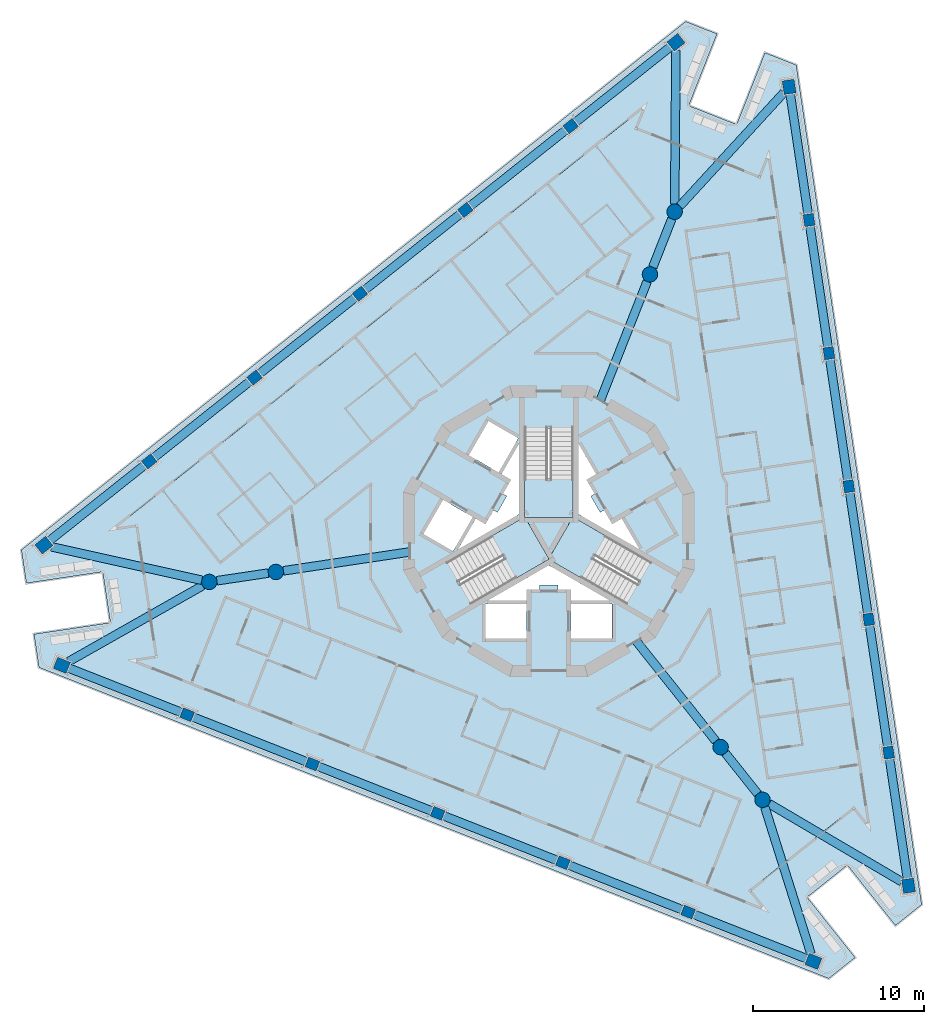
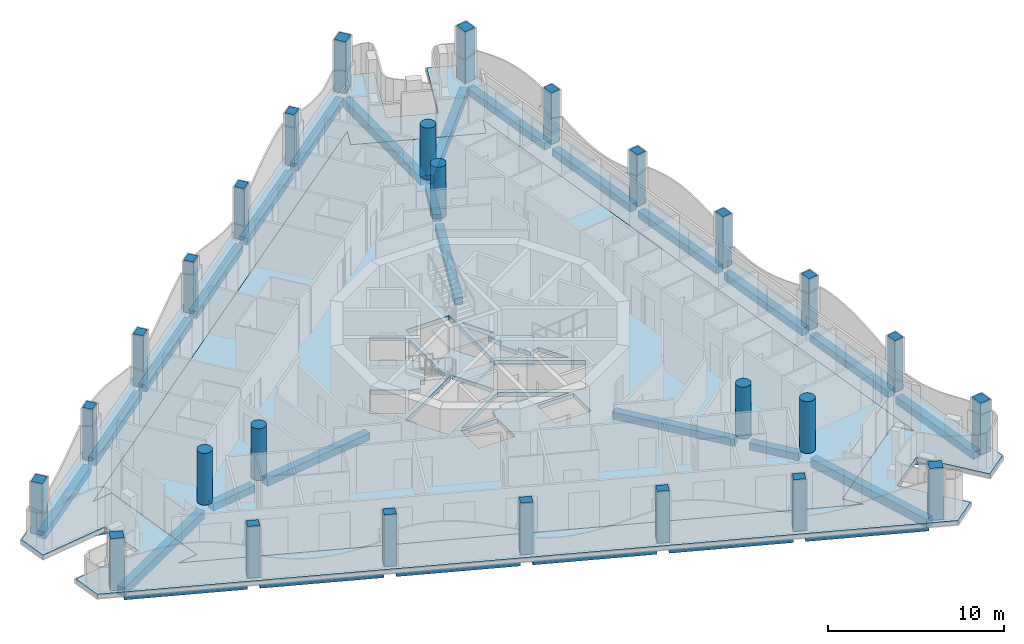
# One storey, part 1 of 16: 30 beams, 27 columns, 6 slabs, 3 elements without a shape of their own.
"""IFC4 building model written with IfcOpenShell, lengths in metres."""

from ifc_helpers import new_model, si_unit, direction, frame, origin, origin_2d, place, context, subcontext, project, spatial, polyline, rectangle, circle, outline, extrude, material, layer, layer_set, material_profile, profile_set, type_object, element, aggregate, save


model = new_model("IFC4")

# Units and contexts
model_context = context("Model", 3, precision=1e-05, world=origin(), true_north=direction((0.0, 1.0)))
body_context = subcontext(model_context, "Body", "Model", "MODEL_VIEW")
ifc_project = project(units=[si_unit("LENGTHUNIT", "METRE"), si_unit("AREAUNIT", "SQUARE_METRE"), si_unit("VOLUMEUNIT", "CUBIC_METRE"), si_unit("PLANEANGLEUNIT", "RADIAN"), si_unit("MASSUNIT", "GRAM", prefix="KILO")], contexts=[model_context])

# Site, building, storey
site_placement = place(None, origin())
site = spatial("IfcSite", under=ifc_project, at=site_placement, CompositionType="ELEMENT")
building_placement = place(site_placement, origin())
building = spatial("IfcBuilding", under=site, at=building_placement, Name="Trine Commons Tower", CompositionType="ELEMENT")
storey_placement = place(building_placement, frame((0.0, 0.0, 223.199951171875)))
storey = spatial("IfcBuildingStorey", under=building, at=storey_placement, Name="L58", CompositionType="ELEMENT", Elevation=223.199951171875)

# Columns
ifc_material_1 = material(Name="Concrete C60/75", Category="concrete")
ifc_material_profile_1 = material_profile(ifc_material_1, rectangle(XDim=0.699951171875, YDim=0.60009765625, at=origin_2d()), Name="RC 700x600")
ifc_profile_set_1 = profile_set([ifc_material_profile_1], Name="Concrete C60/75")
column_type_1 = type_object("IfcColumnType", Name="RC column 700x600, C60/75", PredefinedType="COLUMN", material=ifc_profile_set_1)
for number, where, z_axis, x_axis, name in (
    (1, (88.125, 40.285888671875, 0.0), (0.0, 0.0, 1.0), (-0.930417567982, 0.366501226724, 0.0), "Column PC6-02 L58"),
    (2, (80.82080078125, 43.1630859375, 0.0), (0.0, 0.0, 1.0), (-0.930417567982, 0.366501226724, 0.0), "Column PC6-03 L58"),
    (3, (73.516357421875, 46.04052734375, 0.0), (0.0, 0.0, 1.0), (-0.930417567982, 0.366501226724, 0.0), "Column PC6-04 L58"),
    (4, (66.212158203125, 48.917724609375, 0.0), (0.0, 0.0, 1.0), (-0.930417567982, 0.366501226724, 0.0), "Column PC6-05 L58"),
    (5, (58.90771484375, 51.794921875, 0.0), (0.0, 0.0, 1.0), (-0.930417567982, 0.366501226724, 0.0), "Column PC6-06 L58"),
    (6, (56.699462890625, 66.570556640625, 0.0), (0.0, 0.0, 1.0), (0.782608156852, 0.622514636638, 0.0), "Column PC6-09 L58"),
    (7, (62.843505859375, 71.45751953125, 0.0), (0.0, 0.0, 1.0), (0.782608156852, 0.622514636638, 0.0), "Column PC6-10 L58"),
    (8, (68.9873046875, 76.3447265625, 0.0), (0.0, 0.0, 1.0), (0.782608156852, 0.622514636638, 0.0), "Column PC6-11 L58"),
    (9, (75.13134765625, 81.231689453125, 0.0), (0.0, 0.0, 1.0), (0.782608156852, 0.622514636638, 0.0), "Column PC6-12 L58"),
    (10, (81.275390625, 86.118896484375, 0.0), (0.0, 0.0, 1.0), (0.782608156852, 0.622514636638, 0.0), "Column PC6-13 L58"),
    (11, (95.17529296875, 80.6435546875, 0.0), (0.0, 0.0, 1.0), (-0.14780941113, 0.989015863362, 0.0), "Column PC6-16 L58"),
    (12, (96.335693359375, 72.879150390625, 0.0), (0.0, 0.0, 1.0), (-0.14780941113, 0.989015863362, 0.0), "Column PC6-17 L58"),
    (13, (97.49609375, 65.11474609375, 0.0), (0.0, 0.0, 1.0), (-0.14780941113, 0.989015863362, 0.0), "Column PC6-18 L58"),
    (14, (98.656494140625, 57.350341796875, 0.0), (0.0, 0.0, 1.0), (-0.14780941113, 0.989015863362, 0.0), "Column PC6-19 L58"),
    (15, (99.81689453125, 49.586181640625, 0.0), (0.0, 0.0, 1.0), (-0.14780941113, 0.989015863362, 0.0), "Column PC6-20 L58"),
):
    element("IfcColumn", number, at=place(storey_placement, frame(where, z_axis=z_axis, x_axis=x_axis)), inside=storey, type_object=column_type_1, Name=name, PredefinedType="COLUMN", context=body_context, shape_type="SweptSolid", body=[
        extrude(rectangle(XDim=0.699951171875, YDim=0.60009765625, at=origin_2d()), origin(), (0.0, 0.0, 1.0), 3.60009765625),
    ])
ifc_material_profile_2 = material_profile(ifc_material_1, rectangle(XDim=0.800048828125, YDim=0.699951171875, at=origin_2d()), Name="RC 800x700")
ifc_profile_set_2 = profile_set([ifc_material_profile_2], Name="Concrete C60/75")
column_type_2 = type_object("IfcColumnType", Name="RC column 800x700, C60/75", PredefinedType="COLUMN", material=ifc_profile_set_2)
for number, where, z_axis, x_axis, name in (
    (16, (95.429443359375, 37.40869140625, 0.0), (0.0, 0.0, 1.0), (-0.930417567982, 0.366501226724, 0.0), "Column PC6-01 L58"),
    (17, (51.603515625, 54.67236328125, 0.0), (0.0, 0.0, 1.0), (-0.930417567982, 0.366501226724, 0.0), "Column PC6-07 L58"),
    (18, (50.5556640625, 61.683349609375, 0.0), (0.0, 0.0, 1.0), (0.782608156852, 0.622514636638, 0.0), "Column PC6-08 L58"),
    (19, (87.419189453125, 91.006103515625, 0.0), (0.0, 0.0, 1.0), (0.782608156852, 0.622514636638, 0.0), "Column PC6-14 L58"),
    (20, (94.014892578125, 88.407958984375, 0.0), (0.0, 0.0, 1.0), (-0.14780941113, 0.989015863362, 0.0), "Column PC6-15 L58"),
    (21, (100.977294921875, 41.82177734375, 0.0), (0.0, 0.0, 1.0), (-0.14780941113, 0.989015863362, 0.0), "Column PC6-21 L58"),
):
    element("IfcColumn", number, at=place(storey_placement, frame(where, z_axis=z_axis, x_axis=x_axis)), inside=storey, type_object=column_type_2, Name=name, PredefinedType="COLUMN", context=body_context, shape_type="SweptSolid", body=[
        extrude(rectangle(XDim=0.800048828125, YDim=0.699951171875, at=origin_2d()), origin(), (0.0, 0.0, 1.0), 3.60009765625),
    ])
ifc_material_profile_3 = material_profile(ifc_material_1, circle(Radius=0.449951171875, at=origin_2d()), Name="RC round 900")
ifc_profile_set_3 = profile_set([ifc_material_profile_3], Name="Concrete C60/75")
column_type_3 = type_object("IfcColumnType", Name="RC round column 900 mm, C60/75", PredefinedType="COLUMN", material=ifc_profile_set_3)
for number, where, z_axis, x_axis, name in (
    (22, (90.018798828125, 49.90478515625, 0.0), (0.0, 0.0, 1.0), (1.0, 0.0, 0.0), "Column WC6-1 L58"),
    (23, (92.461669921875, 46.83349609375, 0.0), (0.0, 0.0, 1.0), (1.0, 0.0, 0.0), "Column WC6-2 L58"),
    (24, (85.8984375, 77.47412109375, 0.0), (0.0, 0.0, 1.0), (1.0, 0.0, 0.0), "Column WC6-3 L58"),
    (25, (87.336669921875, 81.125244140625, 0.0), (0.0, 0.0, 1.0), (1.0, 0.0, 0.0), "Column WC6-4 L58"),
    (26, (64.082763671875, 60.12109375, 0.0), (0.0, 0.0, 1.0), (1.0, 0.0, 0.0), "Column WC6-5 L58"),
    (27, (60.20166015625, 59.541015625, 0.0), (0.0, 0.0, 1.0), (1.0, 0.0, 0.0), "Column WC6-6 L58"),
):
    element("IfcColumn", number, at=place(storey_placement, frame(where, z_axis=z_axis, x_axis=x_axis)), inside=storey, type_object=column_type_3, Name=name, PredefinedType="COLUMN", context=body_context, shape_type="SweptSolid", body=[
        extrude(circle(Radius=0.449951171875, at=origin_2d()), origin(), (0.0, 0.0, 1.0), 3.60009765625),
    ])

# Beams
ifc_material_2 = material(Name="Concrete C40/50", Category="concrete")
ifc_material_profile_4 = material_profile(ifc_material_2, rectangle(XDim=0.5, YDim=0.5, at=origin_2d()), Name="RC 500x500")
ifc_profile_set_4 = profile_set([ifc_material_profile_4], Name="Concrete C40/50")
beam_type_1 = type_object("IfcBeamType", Name="RC beam 500x500, C40/50", PredefinedType="BEAM", material=ifc_profile_set_4)
beam_1_placement = place(storey_placement, frame((95.05712890625, 37.555419921875, -0.550048828125), z_axis=(-0.930420117749, 0.366494753699, 0.0), x_axis=(-0.366494753699, -0.930420117749, 0.0)))
element("IfcBeam", 28, at=beam_1_placement, inside=storey, type_object=beam_type_1, Name="Beam EB6-01 L58", PredefinedType="BEAM", context=body_context, shape_type="SweptSolid", body=[
    extrude(rectangle(XDim=0.5, YDim=0.5, at=origin_2d()), origin(), (0.0, 0.0, 1.0), 7.1005859375),
])
for number, where, z_axis, x_axis, name in (
    (29, (87.799560546875, 40.414306640625, -0.550048828125), (-0.93042285796, 0.366487797048, 0.0), (-0.366487797048, -0.93042285796, 0.0), "Beam EB6-02 L58"),
    (30, (80.4951171875, 43.29150390625, -0.550048828125), (-0.93042285796, 0.366487797048, 0.0), (-0.366487797048, -0.93042285796, 0.0), "Beam EB6-03 L58"),
):
    element("IfcBeam", number, at=place(storey_placement, frame(where, z_axis=z_axis, x_axis=x_axis)), inside=storey, type_object=beam_type_1, Name=name, PredefinedType="BEAM", context=body_context, shape_type="SweptSolid", body=[
        extrude(rectangle(XDim=0.5, YDim=0.5, at=origin_2d()), origin(), (0.0, 0.0, 1.0), 7.150634765625),
    ])
beam_2_placement = place(storey_placement, frame((73.19091796875, 46.168701171875, -0.550048828125), z_axis=(-0.930427443561, 0.366476155115, 0.0), x_axis=(-0.366476155115, -0.930427443561, 0.0)))
element("IfcBeam", 31, at=beam_2_placement, inside=storey, type_object=beam_type_1, Name="Beam EB6-04 L58", PredefinedType="BEAM", context=body_context, shape_type="SweptSolid", body=[
    extrude(rectangle(XDim=0.5, YDim=0.5, at=origin_2d()), origin(), (0.0, 0.0, 1.0), 7.15087890625),
])
beam_3_placement = place(storey_placement, frame((65.886474609375, 49.0458984375, -0.550048828125), z_axis=(-0.930411215363, 0.366517353378, 0.0), x_axis=(-0.366517353378, -0.930411215363, 0.0)))
element("IfcBeam", 32, at=beam_3_placement, inside=storey, type_object=beam_type_1, Name="Beam EB6-05 L58", PredefinedType="BEAM", context=body_context, shape_type="SweptSolid", body=[
    extrude(rectangle(XDim=0.5, YDim=0.5, at=origin_2d()), origin(), (0.0, 0.0, 1.0), 7.150634765625),
])
beam_4_placement = place(storey_placement, frame((58.582275390625, 51.92333984375, -0.550048828125), z_axis=(-0.930424735877, 0.366483029441, 0.0), x_axis=(-0.366483029441, -0.930424735877, 0.0)))
element("IfcBeam", 33, at=beam_4_placement, inside=storey, type_object=beam_type_1, Name="Beam EB6-06 L58", PredefinedType="BEAM", context=body_context, shape_type="SweptSolid", body=[
    extrude(rectangle(XDim=0.5, YDim=0.5, at=origin_2d()), origin(), (0.0, 0.0, 1.0), 7.100830078125),
])
beam_5_placement = place(storey_placement, frame((50.86865234375, 61.932373046875, -0.550048828125), z_axis=(0.782606764813, 0.622516386667, 0.0), x_axis=(-0.622516386667, 0.782606764813, 0.0)))
element("IfcBeam", 34, at=beam_5_placement, inside=storey, type_object=beam_type_1, Name="Beam EB6-07 L58", PredefinedType="BEAM", context=body_context, shape_type="SweptSolid", body=[
    extrude(rectangle(XDim=0.5, YDim=0.5, at=origin_2d()), origin(), (0.0, 0.0, 1.0), 7.1005859375),
])
beam_6_placement = place(storey_placement, frame((56.973388671875, 66.788330078125, -0.550048828125), z_axis=(0.78260785881, 0.622515011329, 0.0), x_axis=(-0.622515011329, 0.78260785881, 0.0)))
element("IfcBeam", 35, at=beam_6_placement, inside=storey, type_object=beam_type_1, Name="Beam EB6-08 L58", PredefinedType="BEAM", context=body_context, shape_type="SweptSolid", body=[
    extrude(rectangle(XDim=0.5, YDim=0.5, at=origin_2d()), origin(), (0.0, 0.0, 1.0), 7.150634765625),
])
beam_7_placement = place(storey_placement, frame((63.117431640625, 71.675537109375, -0.550048828125), z_axis=(0.782611261581, 0.622510733439, 0.0), x_axis=(-0.622510733439, 0.782611261581, 0.0)))
element("IfcBeam", 36, at=beam_7_placement, inside=storey, type_object=beam_type_1, Name="Beam EB6-09 L58", PredefinedType="BEAM", context=body_context, shape_type="SweptSolid", body=[
    extrude(rectangle(XDim=0.5, YDim=0.5, at=origin_2d()), origin(), (0.0, 0.0, 1.0), 7.150390625),
])
for number, where, z_axis, x_axis, name in (
    (37, (69.26123046875, 76.5625, -0.550048828125), (0.78260785881, 0.622515011329, 0.0), (-0.622515011329, 0.78260785881, 0.0), "Beam EB6-10 L58"),
    (38, (75.4052734375, 81.44970703125, -0.550048828125), (0.782624492464, 0.622494099407, 0.0), (-0.622494099407, 0.782624492464, 0.0), "Beam EB6-11 L58"),
):
    element("IfcBeam", number, at=place(storey_placement, frame(where, z_axis=z_axis, x_axis=x_axis)), inside=storey, type_object=beam_type_1, Name=name, PredefinedType="BEAM", context=body_context, shape_type="SweptSolid", body=[
        extrude(rectangle(XDim=0.5, YDim=0.5, at=origin_2d()), origin(), (0.0, 0.0, 1.0), 7.150634765625),
    ])
beam_8_placement = place(storey_placement, frame((81.54931640625, 86.3369140625, -0.550048828125), z_axis=(0.782606764813, 0.622516386667, 0.0), x_axis=(-0.622516386667, 0.782606764813, 0.0)))
element("IfcBeam", 39, at=beam_8_placement, inside=storey, type_object=beam_type_1, Name="Beam EB6-12 L58", PredefinedType="BEAM", context=body_context, shape_type="SweptSolid", body=[
    extrude(rectangle(XDim=0.5, YDim=0.5, at=origin_2d()), origin(), (0.0, 0.0, 1.0), 7.1005859375),
])
beam_9_placement = place(storey_placement, frame((94.07421875, 88.01220703125, -0.550048828125), z_axis=(0.147815848306, -0.989014901298, 0.0), x_axis=(0.989014901298, 0.147815848306, 0.0)))
element("IfcBeam", 40, at=beam_9_placement, inside=storey, type_object=beam_type_1, Name="Beam EB6-13 L58", PredefinedType="BEAM", context=body_context, shape_type="SweptSolid", body=[
    extrude(rectangle(XDim=0.5, YDim=0.5, at=origin_2d()), origin(), (0.0, 0.0, 1.0), 7.100341796875),
])
for number, where, z_axis, x_axis, name in (
    (41, (95.22705078125, 80.29736328125, -0.550048828125), (0.147804496566, -0.989016597836, 0.0), (0.989016597836, 0.147804496566, 0.0), "Beam EB6-14 L58"),
    (42, (96.387451171875, 72.532958984375, -0.550048828125), (0.147804496566, -0.989016597836, 0.0), (0.989016597836, 0.147804496566, 0.0), "Beam EB6-15 L58"),
    (43, (97.5478515625, 64.7685546875, -0.550048828125), (0.147804496566, -0.989016597836, 0.0), (0.989016597836, 0.147804496566, 0.0), "Beam EB6-16 L58"),
):
    element("IfcBeam", number, at=place(storey_placement, frame(where, z_axis=z_axis, x_axis=x_axis)), inside=storey, type_object=beam_type_1, Name=name, PredefinedType="BEAM", context=body_context, shape_type="SweptSolid", body=[
        extrude(rectangle(XDim=0.5, YDim=0.5, at=origin_2d()), origin(), (0.0, 0.0, 1.0), 7.150634765625),
    ])
beam_10_placement = place(storey_placement, frame((98.708251953125, 57.004150390625, -0.550048828125), z_axis=(0.147809487776, -0.989015851907, 0.0), x_axis=(0.989015851907, 0.147809487776, 0.0)))
element("IfcBeam", 44, at=beam_10_placement, inside=storey, type_object=beam_type_1, Name="Beam EB6-17 L58", PredefinedType="BEAM", context=body_context, shape_type="SweptSolid", body=[
    extrude(rectangle(XDim=0.5, YDim=0.5, at=origin_2d()), origin(), (0.0, 0.0, 1.0), 7.150390625),
])
beam_11_placement = place(storey_placement, frame((99.86865234375, 49.239990234375, -0.550048828125), z_axis=(0.14781082184, -0.989015652529, 0.0), x_axis=(0.989015652529, 0.14781082184, 0.0)))
element("IfcBeam", 45, at=beam_11_placement, inside=storey, type_object=beam_type_1, Name="Beam EB6-18 L58", PredefinedType="BEAM", context=body_context, shape_type="SweptSolid", body=[
    extrude(rectangle(XDim=0.5, YDim=0.5, at=origin_2d()), origin(), (0.0, 0.0, 1.0), 7.1005859375),
])
beam_12_placement = place(storey_placement, frame((85.101318359375, 56.0869140625, -0.550048828125), z_axis=(0.622498476125, -0.782621011232, 0.0), x_axis=(0.782621011232, 0.622498476125, 0.0)))
element("IfcBeam", 46, at=beam_12_placement, inside=storey, type_object=beam_type_1, Name="Beam RB6-01 L58", PredefinedType="BEAM", context=body_context, shape_type="SweptSolid", body=[
    extrude(rectangle(XDim=0.5, YDim=0.5, at=origin_2d()), origin(), (0.0, 0.0, 1.0), 7.44970703125),
])
beam_13_placement = place(storey_placement, frame((90.298583984375, 49.552734375, -0.550048828125), z_axis=(0.622497726794, -0.782621607251, 0.0), x_axis=(0.782621607251, 0.622497726794, 0.0)))
element("IfcBeam", 47, at=beam_13_placement, inside=storey, type_object=beam_type_1, Name="Beam RB6-02 L58", PredefinedType="BEAM", context=body_context, shape_type="SweptSolid", body=[
    extrude(rectangle(XDim=0.5, YDim=0.5, at=origin_2d()), origin(), (0.0, 0.0, 1.0), 3.02490234375),
])
beam_14_placement = place(storey_placement, frame((83.00341796875, 70.12451171875, -0.550048828125), z_axis=(0.366497867563, 0.930418891184, 0.0), x_axis=(-0.930418891184, 0.366497867563, 0.0)))
element("IfcBeam", 48, at=beam_14_placement, inside=storey, type_object=beam_type_1, Name="Beam RB6-03 L58", PredefinedType="BEAM", context=body_context, shape_type="SweptSolid", body=[
    extrude(rectangle(XDim=0.5, YDim=0.5, at=origin_2d()), origin(), (0.0, 0.0, 1.0), 7.449462890625),
])
beam_15_placement = place(storey_placement, frame((86.063232421875, 77.892578125, -0.550048828125), z_axis=(0.366528753051, 0.930406724603, 0.0), x_axis=(-0.930406724603, 0.366528753051, 0.0)))
element("IfcBeam", 49, at=beam_15_placement, inside=storey, type_object=beam_type_1, Name="Beam RB6-04 L58", PredefinedType="BEAM", context=body_context, shape_type="SweptSolid", body=[
    extrude(rectangle(XDim=0.5, YDim=0.5, at=origin_2d()), origin(), (0.0, 0.0, 1.0), 3.024658203125),
])
beam_16_placement = place(storey_placement, frame((71.8955078125, 61.288818359375, -0.550048828125), z_axis=(-0.989013138411, -0.147827643054, 0.0), x_axis=(0.147827643054, -0.989013138411, 0.0)))
element("IfcBeam", 50, at=beam_16_placement, inside=storey, type_object=beam_type_1, Name="Beam RB6-05 L58", PredefinedType="BEAM", context=body_context, shape_type="SweptSolid", body=[
    extrude(rectangle(XDim=0.5, YDim=0.5, at=origin_2d()), origin(), (0.0, 0.0, 1.0), 7.449951171875),
])
beam_17_placement = place(storey_placement, frame((63.63818359375, 60.0546875, -0.550048828125), z_axis=(-0.989011987503, -0.14783534278, 0.0), x_axis=(0.14783534278, -0.989011987503, 0.0)))
element("IfcBeam", 51, at=beam_17_placement, inside=storey, type_object=beam_type_1, Name="Beam RB6-06 L58", PredefinedType="BEAM", context=body_context, shape_type="SweptSolid", body=[
    extrude(rectangle(XDim=0.5, YDim=0.5, at=origin_2d()), origin(), (0.0, 0.0, 1.0), 3.025390625),
])
ifc_material_profile_5 = material_profile(ifc_material_2, rectangle(XDim=0.5, YDim=0.60009765625, at=origin_2d()), Name="RC 500x600")
ifc_profile_set_5 = profile_set([ifc_material_profile_5], Name="Concrete C40/50")
beam_type_2 = type_object("IfcBeamType", Name="RC beam 500x600, C40/50", PredefinedType="BEAM", material=ifc_profile_set_5)
for number, where, z_axis, x_axis, name in (
    (52, (51.9951171875, 54.89404296875, -0.599853515625), (0.870168672724, 0.492753976148, 0.0), (-0.492753976148, 0.870168672724, 0.0), "Beam CB6-01 L58"),
    (53, (50.9951171875, 61.585693359375, -0.599853515625), (0.976218391118, -0.216789420505, 0.0), (0.216789420505, 0.976218391118, 0.0), "Beam CB6-02 L58"),
):
    element("IfcBeam", number, at=place(storey_placement, frame(where, z_axis=z_axis, x_axis=x_axis)), inside=storey, type_object=beam_type_2, Name=name, PredefinedType="BEAM", context=body_context, shape_type="SweptSolid", body=[
        extrude(rectangle(XDim=0.5, YDim=0.60009765625, at=origin_2d()), origin(), (0.0, 0.0, 1.0), 8.981201171875),
    ])
beam_18_placement = place(storey_placement, frame((87.41552734375, 90.555908203125, -0.599853515625), z_axis=(-0.008345502486, -0.999965175688, 0.0), x_axis=(0.999965175688, -0.008345502486, 0.0)))
element("IfcBeam", 54, at=beam_18_placement, inside=storey, type_object=beam_type_2, Name="Beam CB6-03 L58", PredefinedType="BEAM", context=body_context, shape_type="SweptSolid", body=[
    extrude(rectangle(XDim=0.5, YDim=0.60009765625, at=origin_2d()), origin(), (0.0, 0.0, 1.0), 8.98095703125),
])
beam_19_placement = place(storey_placement, frame((93.710693359375, 88.076171875, -0.599853515625), z_axis=(-0.675864939366, -0.737025497344, 0.0), x_axis=(0.737025497344, -0.675864939366, 0.0)))
element("IfcBeam", 55, at=beam_19_placement, inside=storey, type_object=beam_type_2, Name="Beam CB6-04 L58", PredefinedType="BEAM", context=body_context, shape_type="SweptSolid", body=[
    extrude(rectangle(XDim=0.5, YDim=0.60009765625, at=origin_2d()), origin(), (0.0, 0.0, 1.0), 8.9814453125),
])
for number, where, z_axis, x_axis, name in (
    (56, (100.58935546875, 42.050048828125, -0.599853515625), (-0.861820288966, 0.507213751319, 0.0), (-0.507213751319, -0.861820288966, 0.0), "Beam CB6-05 L58"),
    (57, (95.294189453125, 37.838134765625, -0.599853515625), (-0.300354576277, 0.953827619913, 0.0), (-0.953827619913, -0.300354576277, 0.0), "Beam CB6-06 L58"),
):
    element("IfcBeam", number, at=place(storey_placement, frame(where, z_axis=z_axis, x_axis=x_axis)), inside=storey, type_object=beam_type_2, Name=name, PredefinedType="BEAM", context=body_context, shape_type="SweptSolid", body=[
        extrude(rectangle(XDim=0.5, YDim=0.60009765625, at=origin_2d()), origin(), (0.0, 0.0, 1.0), 8.981201171875),
    ])

# Slabs
ifc_layer_1 = layer(ifc_material_2, 0.300048828125)
ifc_layer_set_1 = layer_set([ifc_layer_1], Name="Concrete C40/50")
slab_type_1 = type_object("IfcSlabType", Name="Loggia slab 300 mm, C40/50", PredefinedType="FLOOR", material=ifc_layer_set_1)
slab_1_placement = place(storey_placement, frame((0.0, 0.0, -0.300048828125)))
element("IfcSlab", 58, at=slab_1_placement, inside=storey, type_object=slab_type_1, Name="Loggia slab L58", PredefinedType="FLOOR", context=body_context, shape_type="SweptSolid", body=[
    extrude(outline(polyline([(101.748046875, 40.7236328125), (94.430908203125, 89.683349609375), (92.603515625, 90.4033203125), (90.954345703125, 86.21630859375), (88.1630859375, 87.31591796875), (89.812255859375, 91.502685546875), (87.98486328125, 92.22265625), (49.242919921875, 61.406005859375), (49.533203125, 59.46337890625), (53.98388671875, 60.12841796875), (54.42724609375, 57.16162109375), (49.976806640625, 56.496337890625), (50.26708984375, 54.5537109375), (96.325927734375, 36.41064453125), (97.86328125, 37.63330078125), (95.061767578125, 41.155029296875), (97.40966796875, 43.022705078125), (100.2109375, 39.5009765625), (101.748046875, 40.7236328125)]), holes=[polyline([(56.002685546875, 62.85693359375), (57.15576171875, 55.142578125), (55.825439453125, 54.94384765625), (92.52685546875, 40.48681640625), (91.689453125, 41.539306640625), (97.7939453125, 46.39501953125), (98.631103515625, 45.34228515625), (92.80078125, 84.355224609375), (92.3076171875, 83.103759765625), (85.050537109375, 85.96240234375), (85.54345703125, 87.2138671875), (54.672607421875, 62.658203125), (56.002685546875, 62.85693359375)])]), origin(), (0.0, 0.0, 1.0), 0.300048828125),
])
ifc_layer_2 = layer(ifc_material_2, 0.300048828125)
ifc_layer_set_2 = layer_set([ifc_layer_2], Name="Concrete C40/50")
slab_type_2 = type_object("IfcSlabType", Name="PT flat slab 300 mm, C40/50", PredefinedType="FLOOR", material=ifc_layer_set_2)
slab_2_placement = place(storey_placement, frame((0.0, 0.0, -0.300048828125)))
element("IfcSlab", 59, at=slab_2_placement, inside=storey, type_object=slab_type_2, Name="Floor slab L58", PredefinedType="FLOOR", context=body_context, shape_type="SweptSolid", body=[
    extrude(outline(polyline([(54.672607421875, 62.658203125), (56.002685546875, 62.85693359375), (57.15576171875, 55.142578125), (55.825439453125, 54.94384765625), (92.52685546875, 40.48681640625), (91.689453125, 41.539306640625), (97.7939453125, 46.39501953125), (98.631103515625, 45.34228515625), (92.80078125, 84.355224609375), (92.3076171875, 83.103759765625), (85.050537109375, 85.96240234375), (85.54345703125, 87.2138671875), (54.672607421875, 62.658203125)]), holes=[polyline([(78.699951171875, 56.25), (78.699951171875, 58.25), (76.300048828125, 58.25), (76.300048828125, 56.25), (78.699951171875, 56.25)]), polyline([(83.699951171875, 56.25), (83.699951171875, 58.25), (81.300048828125, 58.25), (81.300048828125, 56.25), (83.699951171875, 56.25)]), polyline([(81.300048828125, 58.449951171875), (83.56494140625, 58.449951171875), (80.0, 60.508056640625), (76.43505859375, 58.449951171875), (78.699951171875, 58.449951171875), (78.85009765625, 59.10009765625), (79.449951171875, 59.10009765625), (79.449951171875, 59.360107421875), (80.550048828125, 59.360107421875), (80.550048828125, 59.10009765625), (81.14990234375, 59.10009765625), (81.300048828125, 58.449951171875)]), polyline([(81.425048828125, 63.32275390625), (81.425048828125, 68.490478515625), (78.574951171875, 68.490478515625), (78.574951171875, 63.32275390625), (74.099609375, 60.73876953125), (75.5244140625, 58.2705078125), (80.0, 60.8544921875), (84.4755859375, 58.2705078125), (85.900390625, 60.73876953125), (81.425048828125, 63.32275390625)]), polyline([(72.687255859375, 62.333984375), (74.41943359375, 61.333984375), (75.5693359375, 63.325927734375), (73.83740234375, 64.325927734375), (72.687255859375, 62.333984375)]), polyline([(76.381103515625, 63.031005859375), (75.742919921875, 63.22607421875), (74.7099609375, 61.43798828125), (78.27490234375, 63.49609375), (78.27490234375, 67.612060546875), (77.242919921875, 65.823974609375), (77.73095703125, 65.368896484375), (77.3310546875, 64.676025390625), (77.555908203125, 64.5458984375), (77.006103515625, 63.593994140625), (76.781005859375, 63.722900390625), (76.381103515625, 63.031005859375)]), polyline([(82.993896484375, 63.593994140625), (82.444091796875, 64.5458984375), (82.72705078125, 64.7099609375), (82.281005859375, 65.549072265625), (82.757080078125, 65.823974609375), (81.72509765625, 67.612060546875), (81.72509765625, 63.49609375), (85.2900390625, 61.43798828125), (84.257080078125, 63.22607421875), (83.618896484375, 63.031005859375), (83.243896484375, 63.738037109375), (82.993896484375, 63.593994140625)]), polyline([(76.4873046875, 68.916015625), (75.33740234375, 66.924072265625), (77.0693359375, 65.924072265625), (78.219482421875, 67.916015625), (76.4873046875, 68.916015625)])]), origin(), (0.0, 0.0, 1.0), 0.300048828125),
])
slab_3_placement = place(storey_placement, frame((0.0, 0.0, -0.300048828125)))
element("IfcSlab", 60, at=slab_3_placement, inside=storey, type_object=slab_type_2, Name="Floor slab L58 2", PredefinedType="FLOOR", context=body_context, shape_type="SweptSolid", body=[
    extrude(outline(polyline([(81.38671875, 63.300537109375), (78.61328125, 63.300537109375), (80.0, 60.89892578125), (81.38671875, 63.300537109375)])), origin(), (0.0, 0.0, 1.0), 0.300048828125),
])

# Stair, slab
ifc_material_3 = material(Name="Concrete C50/60", Category="concrete")
stair_type = type_object("IfcStairType", Name="Exit stair, dog-leg, 24 risers of 150 mm", PredefinedType="HALF_TURN_STAIR", material=ifc_material_3)
stair_1_placement = place(storey_placement, origin())
stair_1 = element("IfcStair", 61, at=stair_1_placement, inside=storey, type_object=stair_type, Name="L58 Exit stair ST1C", PredefinedType="HALF_TURN_STAIR")
ifc_layer_3 = layer(ifc_material_3, 0.199951171875)
ifc_layer_set_3 = layer_set([ifc_layer_3], Name="Concrete C50/60")
slab_type_3 = type_object("IfcSlabType", Name="Stair landing slab 200 mm, C50/60", PredefinedType="LANDING", material=ifc_layer_set_3)
slab_4_placement = place(storey_placement, frame((0.0, 0.0, 1.60009765625)))
slab_4 = element("IfcSlab", 62, at=slab_4_placement, type_object=slab_type_3, Name="ST1C landing 1", PredefinedType="LANDING", context=body_context, shape_type="SweptSolid", body=[
    extrude(outline(polyline([(78.574951171875, 65.570556640625), (78.574951171875, 63.300537109375), (81.425048828125, 63.300537109375), (81.425048828125, 65.570556640625), (78.574951171875, 65.570556640625)])), origin(), (0.0, 0.0, 1.0), 0.199951171875),
])
aggregate(stair_1, [slab_4])

stair_2_placement = place(storey_placement, origin())
stair_2 = element("IfcStair", 63, at=stair_2_placement, inside=storey, type_object=stair_type, Name="L58 Exit stair ST2C", PredefinedType="HALF_TURN_STAIR")
slab_5_placement = place(storey_placement, frame((0.0, 0.0, 1.60009765625)))
slab_5 = element("IfcSlab", 64, at=slab_5_placement, type_object=slab_type_3, Name="ST2C landing 1", PredefinedType="LANDING", context=body_context, shape_type="SweptSolid", body=[
    extrude(outline(polyline([(78.05322265625, 59.730712890625), (80.019287109375, 60.86572265625), (78.59423828125, 63.333740234375), (76.628173828125, 62.19873046875), (78.05322265625, 59.730712890625)])), origin(), (0.0, 0.0, 1.0), 0.199951171875),
])
aggregate(stair_2, [slab_5])

stair_3_placement = place(storey_placement, origin())
stair_3 = element("IfcStair", 65, at=stair_3_placement, inside=storey, type_object=stair_type, Name="L58 Exit stair ST3C", PredefinedType="HALF_TURN_STAIR")
slab_6_placement = place(storey_placement, frame((0.0, 0.0, 1.60009765625)))
slab_6 = element("IfcSlab", 66, at=slab_6_placement, type_object=slab_type_3, Name="ST3C landing 1", PredefinedType="LANDING", context=body_context, shape_type="SweptSolid", body=[
    extrude(outline(polyline([(83.371826171875, 62.19873046875), (81.40576171875, 63.333740234375), (79.980712890625, 60.86572265625), (81.94677734375, 59.730712890625), (83.371826171875, 62.19873046875)])), origin(), (0.0, 0.0, 1.0), 0.199951171875),
])
aggregate(stair_3, [slab_6])

save(model, "model.ifc")
